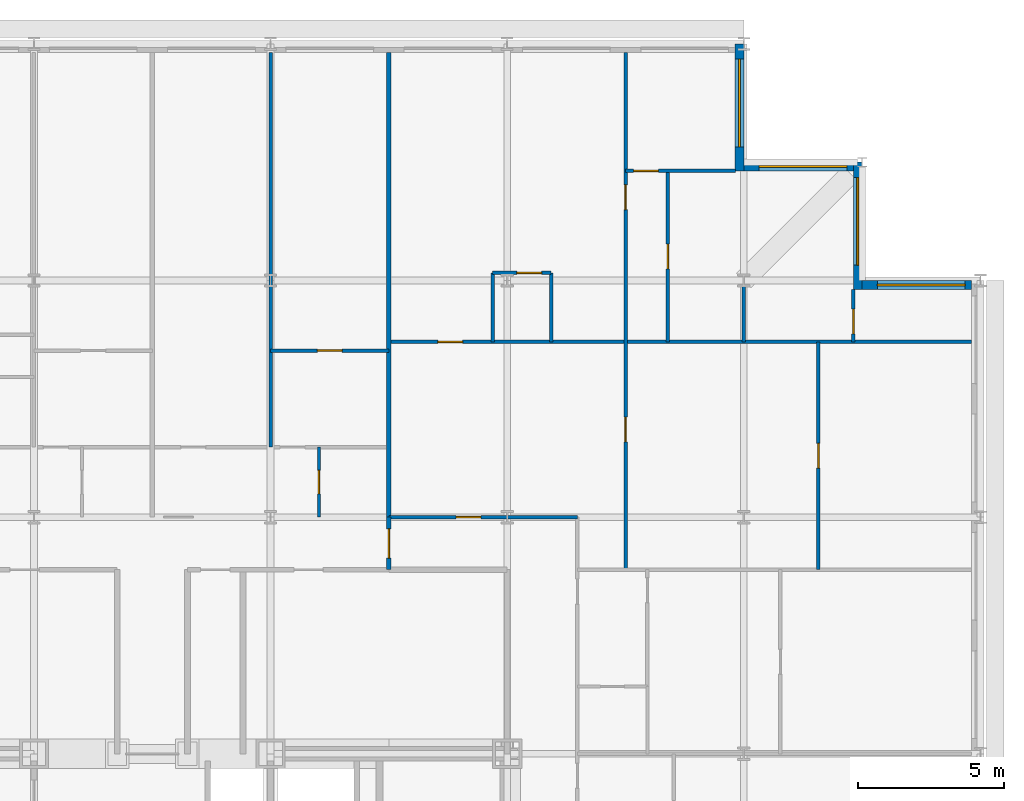
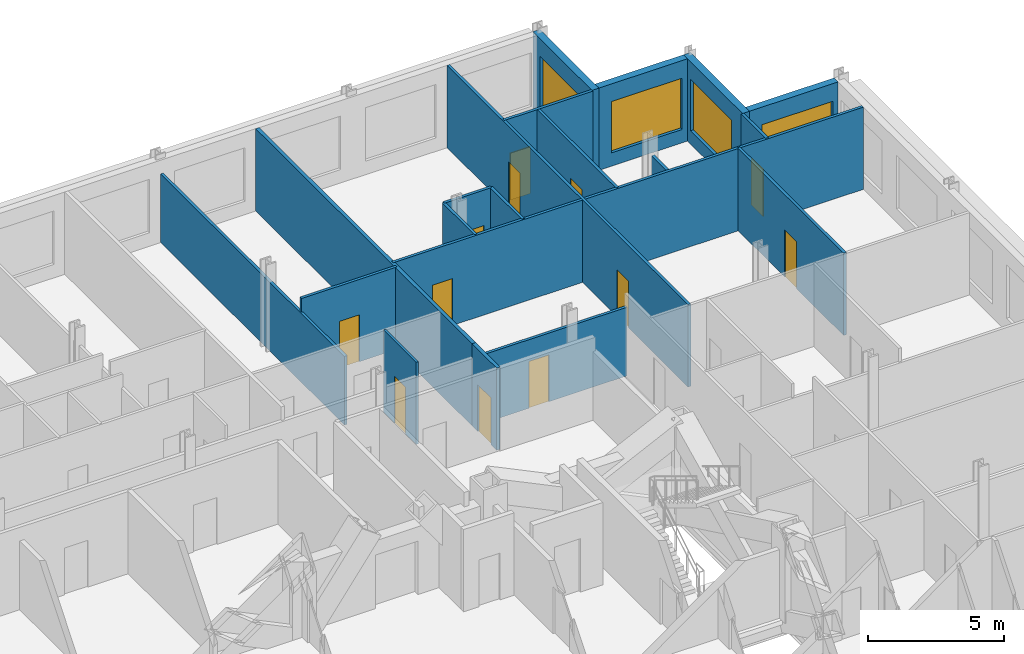
# One storey, part 14 of 16: 20 walls, 12 doors, 4 windows, 16 openings.
"""IFC4 building model written with IfcOpenShell, lengths in metres."""

import ifcopenshell
import ifcopenshell.guid

model = None  # the IFC model being written
_history = None  # IfcOwnerHistory: only IFC2X3 demands one
_inside = {}  # id of a spatial element -> (the spatial element, [elements in it])
_under = {}  # id of a project, library or spatial element -> (it, [spatial elements below it])
_declared = {}  # id of a project -> (the project, [libraries it declares])
_typed = {}  # id of a type object -> (the type object, [elements of that type])
_made_of = {}  # id of a material, layer set ... -> (it, [elements and type objects made of it])


def new_model(schema):
    """Start an empty IFC model of exactly this schema.

    Asked for "IFC4X3", IfcOpenShell would pick the latest addendum, in which some entities
    have other attributes; the version numbers below select the first issue.
    IFC2X3 requires an IfcOwnerHistory on every rooted entity: one is made here for all.
    """
    global model, _history
    if schema == "IFC4X3":
        model = ifcopenshell.file(schema_version=(4, 3, 0, 0))
    else:
        model = ifcopenshell.file(schema=schema)
    _inside.clear()
    _under.clear()
    _declared.clear()
    _typed.clear()
    _made_of.clear()
    _history = None
    if model.schema == "IFC2X3":
        org = make("IfcOrganization", Name="unknown")
        user = make(
            "IfcPersonAndOrganization",
            ThePerson=make("IfcPerson", FamilyName="unknown"),
            TheOrganization=org,
        )
        app = make(
            "IfcApplication",
            ApplicationDeveloper=org,
            Version="unknown",
            ApplicationFullName="unknown",
            ApplicationIdentifier="unknown",
        )
        _history = make(
            "IfcOwnerHistory",
            OwningUser=user,
            OwningApplication=app,
            ChangeAction="ADDED",
            CreationDate=0,
        )
    return model


def make(cls, **values):
    """One entity of the class cls with the attributes given. An attribute that is None is left unset."""
    return model.create_entity(
        cls, **{name: value for name, value in values.items() if value is not None}
    )


def rooted(cls, **values):
    """An entity with a GlobalId (a new one), such as an element, a storey or a relation."""
    return make(cls, GlobalId=ifcopenshell.guid.new(), OwnerHistory=_history, **values)


def si_unit(unit_type, name, prefix=None):
    """IfcSIUnit, for example si_unit("LENGTHUNIT", "METRE", prefix="MILLI")."""
    return make("IfcSIUnit", UnitType=unit_type, Prefix=prefix, Name=name)


def assignment(units):
    """IfcUnitAssignment: the units of a project."""
    return None if units is None else make("IfcUnitAssignment", Units=units)


def point(xyz):
    """IfcCartesianPoint."""
    return None if xyz is None else make("IfcCartesianPoint", Coordinates=xyz)


def direction(xyz):
    """IfcDirection."""
    return None if xyz is None else make("IfcDirection", DirectionRatios=xyz)


def frame(location, z_axis=None, x_axis=None):
    """IfcAxis2Placement3D, a coordinate frame: its origin and axes. An axis left out is left unset."""
    return make(
        "IfcAxis2Placement3D",
        Location=point(location),
        Axis=direction(z_axis),
        RefDirection=direction(x_axis),
    )


def frame_2d(location, x_axis=None):
    """IfcAxis2Placement2D, a coordinate frame in the plane: its origin and x axis."""
    return make(
        "IfcAxis2Placement2D", Location=point(location), RefDirection=direction(x_axis)
    )


def origin():
    """The frame at (0, 0, 0) with its axes left unset."""
    return frame((0.0, 0.0, 0.0))


def place(relative_to, where):
    """IfcLocalPlacement: puts the frame where relative to a parent placement (None: the world)."""
    return make(
        "IfcLocalPlacement", PlacementRelTo=relative_to, RelativePlacement=where
    )


def context(
    kind, dimensions, precision=None, world=None, true_north=None, identifier=None
):
    """IfcGeometricRepresentationContext, for example the 3D "Model" context."""
    return make(
        "IfcGeometricRepresentationContext",
        ContextIdentifier=identifier,
        ContextType=kind,
        CoordinateSpaceDimension=dimensions,
        Precision=precision,
        WorldCoordinateSystem=world,
        TrueNorth=true_north,
    )


def subcontext(parent, identifier, kind, view, scale=None):
    """IfcGeometricRepresentationSubContext, for example "Body" below "Model"."""
    return make(
        "IfcGeometricRepresentationSubContext",
        ContextIdentifier=identifier,
        ContextType=kind,
        ParentContext=parent,
        TargetScale=scale,
        TargetView=view,
    )


def project(units=None, contexts=None):
    """IfcProject with its units and contexts."""
    return rooted(
        "IfcProject",
        Name="project",
        RepresentationContexts=contexts,
        UnitsInContext=assignment(units),
    )


def spatial(cls, under=None, at=None, **own):
    """A site, building, storey or space (cls), placed at a placement, below another one or the project."""
    s = rooted(cls, ObjectPlacement=at, **own)
    if under is not None:
        _under.setdefault(under.id(), (under, []))[1].append(s)
    return s


def profile(cls, at=None, kind="AREA", **sizes):
    """A parametric profile (cls). Its sizes go by their IFC names, for example OverallWidth=200.0."""
    return make(cls, ProfileType=kind, Position=at, **sizes)


def rectangle(**sizes):
    """IfcRectangleProfileDef."""
    return profile("IfcRectangleProfileDef", **sizes)


def extrude(swept, where, along, depth):
    """IfcExtrudedAreaSolid: the profile swept, set in the frame where, extruded along a direction by depth."""
    return make(
        "IfcExtrudedAreaSolid",
        SweptArea=swept,
        Position=where,
        ExtrudedDirection=direction(along),
        Depth=depth,
    )


def shape(context_of_items, identifier, shape_type, items):
    """IfcShapeRepresentation: the items that make up one representation, for example the "Body"."""
    return make(
        "IfcShapeRepresentation",
        ContextOfItems=context_of_items,
        RepresentationIdentifier=identifier,
        RepresentationType=shape_type,
        Items=items,
    )


def material(Name=None, Category=None):
    """IfcMaterial."""
    return make("IfcMaterial", Name=Name, Category=Category)


def layer(
    of_material, thickness, ventilated=None, Name=None, Category=None, Priority=None
):
    """IfcMaterialLayer: one layer of a wall or slab, of a material (None: an air gap)."""
    return make(
        "IfcMaterialLayer",
        Material=of_material,
        LayerThickness=thickness,
        IsVentilated=ventilated,
        Name=Name,
        Category=Category,
        Priority=Priority,
    )


def layer_set(layers, Name=None):
    """IfcMaterialLayerSet."""
    return make("IfcMaterialLayerSet", MaterialLayers=layers, LayerSetName=Name)


def made_of(thing, what):
    """Note that an element or type object is made of a material, layer set ...; save() writes the relation."""
    if what is not None:
        _made_of.setdefault(what.id(), (what, []))[1].append(thing)
    return thing


def type_object(cls, material=None, **own):
    """A type object (cls), such as IfcWallType, which elements share."""
    return made_of(rooted(cls, **own), material)


def element(
    cls,
    number,
    at=None,
    inside=None,
    cuts=None,
    type_object=None,
    material=None,
    context=None,
    identifier="Body",
    shape_type=None,
    held_by="IfcProductDefinitionShape",
    body=None,
    shapes=None,
    **own,
):
    """One element of the class cls, such as IfcWall. Its Tag is "e" and its number.

    at: its placement. inside: the storey or other place that contains it. cuts: it is an
    opening in that element (IfcRelVoidsElement). A single representation is given by context,
    identifier, shape_type and body (its items); several are given by shapes. held_by: the class
    of the entity that holds the representations. save() writes the other relations.
    """
    e = rooted(cls, Tag="e%d" % number, ObjectPlacement=at, **own)
    if body is not None:
        shapes = [shape(context, identifier, shape_type, body)]
    if shapes is not None:
        e.Representation = make(held_by, Representations=shapes)
    if inside is not None:
        _inside.setdefault(inside.id(), (inside, []))[1].append(e)
    if cuts is not None:
        rooted(
            "IfcRelVoidsElement", RelatingBuildingElement=cuts, RelatedOpeningElement=e
        )
    if type_object is not None:
        _typed.setdefault(type_object.id(), (type_object, []))[1].append(e)
    return made_of(e, material)


def fill(opening, filler):
    """IfcRelFillsElement: the door or window that sits in an opening."""
    return rooted(
        "IfcRelFillsElement",
        RelatingOpeningElement=opening,
        RelatedBuildingElement=filler,
    )


def aggregate(whole, parts):
    """IfcRelAggregates: a whole, such as a stair, and the parts it consists of."""
    return rooted("IfcRelAggregates", RelatingObject=whole, RelatedObjects=parts)


def save(model, path):
    """Write the relations noted so far, then the file.

    IfcRelAggregates (storeys below a building ...), IfcRelContainedInSpatialStructure (elements
    in a storey), IfcRelDefinesByType, IfcRelAssociatesMaterial and IfcRelDeclares: one each for
    every whole, place, type object, material and project.
    """
    for whole, parts in _under.values():
        aggregate(whole, parts)
    for where, things in _inside.values():
        rooted(
            "IfcRelContainedInSpatialStructure",
            RelatedElements=things,
            RelatingStructure=where,
        )
    for kind, things in _typed.values():
        rooted("IfcRelDefinesByType", RelatedObjects=things, RelatingType=kind)
    for what, things in _made_of.values():
        rooted("IfcRelAssociatesMaterial", RelatedObjects=things, RelatingMaterial=what)
    for by, libraries in _declared.values():
        rooted("IfcRelDeclares", RelatingContext=by, RelatedDefinitions=libraries)
    model.write(path)


model = new_model("IFC4")

# Units and contexts
model_context = context("Model", 3, precision=1e-05, world=origin(), true_north=direction((0.0, 1.0)))
body_context = subcontext(model_context, "Body", "Model", "MODEL_VIEW")
ifc_project = project(units=[si_unit("LENGTHUNIT", "METRE"), si_unit("AREAUNIT", "SQUARE_METRE"), si_unit("VOLUMEUNIT", "CUBIC_METRE"), si_unit("PLANEANGLEUNIT", "RADIAN"), si_unit("MASSUNIT", "GRAM", prefix="KILO")], contexts=[model_context])

# Site, building, storey
site_placement = place(None, origin())
site = spatial("IfcSite", under=ifc_project, at=site_placement, CompositionType="ELEMENT")
building_placement = place(site_placement, origin())
building = spatial("IfcBuilding", under=site, at=building_placement, Name="Kopane Lantern Tower", CompositionType="ELEMENT")
storey_placement = place(building_placement, frame((0.0, 0.0, 258.0)))
storey = spatial("IfcBuildingStorey", under=building, at=storey_placement, Name="L66", CompositionType="ELEMENT", Elevation=258.0)

# Wall
ifc_material_1 = material(Name="Gypsum board on steel studs", Category="steel")
ifc_layer_1 = layer(ifc_material_1, 0.1201171875)
ifc_layer_set_1 = layer_set([ifc_layer_1], Name="APARTMENT INTERNAL WALL 120")
wall_type_1 = type_object("IfcWallType", Name="APARTMENT INTERNAL WALL 120", PredefinedType="PARTITIONING", material=ifc_layer_set_1)
wall_1_placement = place(storey_placement, frame((32.39990234375, 51.0, 0.0), z_axis=(0.0, 0.0, 1.0), x_axis=(0.0, 1.0, 0.0)))
element("IfcWall", 1, at=wall_1_placement, inside=storey, type_object=wall_type_1, Name="Apartment Internal Wall 120 L66", PredefinedType="PARTITIONING", context=body_context, shape_type="SweptSolid", body=[
    extrude(rectangle(XDim=13.5, YDim=0.1201171875, at=frame_2d((6.75, 0.0))), origin(), (0.0, 0.0, 1.0), 3.077880859375),
])

# Wall, opening, door
wall_2_placement = place(storey_placement, frame((36.449951171875, 48.60009765625, 0.0), z_axis=(0.0, 0.0, 1.0), x_axis=(1.0, 0.0, 0.0)))
wall_2 = element("IfcWall", 2, at=wall_2_placement, inside=storey, type_object=wall_type_1, Name="Apartment Internal Wall 120 L66", PredefinedType="PARTITIONING", context=body_context, shape_type="SweptSolid", body=[
    extrude(rectangle(XDim=6.449951171875, YDim=0.1201171875, at=frame_2d((3.22509765625, 0.0))), origin(), (0.0, 0.0, 1.0), 3.077880859375),
])
opening_1_placement = place(wall_2_placement, frame((2.300048828125, 0.0, 0.0)))
opening_1 = element("IfcOpeningElement", 3, at=opening_1_placement, cuts=wall_2, Name="Opening L66-057", PredefinedType="OPENING", context=body_context, shape_type="SweptSolid", body=[
    extrude(rectangle(XDim=0.85009765625, YDim=2.10009765625, at=frame_2d((0.425048828125, 1.050048828125))), frame((0.0, 0.070068359375, 0.0), z_axis=(0.0, -1.0, 0.0), x_axis=(1.0, 0.0, 0.0)), (0.0, 0.0, 1.0), 0.14013671875),
])
ifc_material_2 = material(Name="Timber door set", Category="wood")
door_type_1 = type_object("IfcDoorType", Name="DOOR D4 850x2100", OperationType="SINGLE_SWING_LEFT", PredefinedType="DOOR", material=ifc_material_2)
door_1_placement = place(opening_1_placement, origin())
door_1 = element("IfcDoor", 4, at=door_1_placement, inside=storey, type_object=door_type_1, Name="Door L66-057", OperationType="SINGLE_SWING_LEFT", OverallHeight=2.10009765625, OverallWidth=0.85009765625, PredefinedType="DOOR", context=body_context, shape_type="SweptSolid", body=[
    extrude(rectangle(XDim=0.85009765625, YDim=2.10009765625, at=frame_2d((0.425048828125, 1.050048828125))), frame((0.0, 0.02490234375, 0.0), z_axis=(0.0, -1.0, 0.0), x_axis=(1.0, 0.0, 0.0)), (0.0, 0.0, 1.0), 0.050048828125),
])
fill(opening_1, door_1)

wall_3_placement = place(storey_placement, frame((36.449951171875, 54.60009765625, 0.0), z_axis=(0.0, 0.0, 1.0), x_axis=(1.0, 0.0, 0.0)))
wall_3 = element("IfcWall", 5, at=wall_3_placement, inside=storey, type_object=wall_type_1, Name="Apartment Internal Wall 120 L66", PredefinedType="PARTITIONING", context=body_context, shape_type="SweptSolid", body=[
    extrude(rectangle(XDim=19.949951171875, YDim=0.1201171875, at=frame_2d((9.97509765625, 0.0))), origin(), (0.0, 0.0, 1.0), 3.68994140625),
])
opening_2_placement = place(wall_3_placement, frame((1.675048828125, 0.0, 0.0)))
opening_2 = element("IfcOpeningElement", 6, at=opening_2_placement, cuts=wall_3, Name="Opening L66-058", PredefinedType="OPENING", context=body_context, shape_type="SweptSolid", body=[
    extrude(rectangle(XDim=0.85009765625, YDim=2.10009765625, at=frame_2d((0.425048828125, 1.050048828125))), frame((0.0, 0.070068359375, 0.0), z_axis=(0.0, -1.0, 0.0), x_axis=(1.0, 0.0, 0.0)), (0.0, 0.0, 1.0), 0.14013671875),
])
door_2_placement = place(opening_2_placement, origin())
door_2 = element("IfcDoor", 7, at=door_2_placement, inside=storey, type_object=door_type_1, Name="Door L66-058", OperationType="SINGLE_SWING_LEFT", OverallHeight=2.10009765625, OverallWidth=0.85009765625, PredefinedType="DOOR", context=body_context, shape_type="SweptSolid", body=[
    extrude(rectangle(XDim=0.85009765625, YDim=2.10009765625, at=frame_2d((0.425048828125, 1.050048828125))), frame((0.0, 0.02490234375, 0.0), z_axis=(0.0, -1.0, 0.0), x_axis=(1.0, 0.0, 0.0)), (0.0, 0.0, 1.0), 0.050048828125),
])
fill(opening_2, door_2)

# Wall, openings, doors
wall_4_placement = place(storey_placement, frame((44.550048828125, 64.5, 0.0), z_axis=(0.0, 0.0, 1.0), x_axis=(0.0, -1.0, 0.0)))
wall_4 = element("IfcWall", 8, at=wall_4_placement, inside=storey, type_object=wall_type_1, Name="Apartment Internal Wall 120 L66", PredefinedType="PARTITIONING", context=body_context, shape_type="SweptSolid", body=[
    extrude(rectangle(XDim=17.699951171875, YDim=0.1201171875, at=frame_2d((8.85009765625, 0.0))), origin(), (0.0, 0.0, 1.0), 3.68994140625),
])
opening_3_placement = place(wall_4_placement, frame((12.47509765625, 0.0, 0.0)))
opening_3 = element("IfcOpeningElement", 9, at=opening_3_placement, cuts=wall_4, Name="Opening L66-059", PredefinedType="OPENING", context=body_context, shape_type="SweptSolid", body=[
    extrude(rectangle(XDim=0.85009765625, YDim=2.10009765625, at=frame_2d((0.425048828125, 1.050048828125))), frame((0.0, 0.070068359375, 0.0), z_axis=(0.0, -1.0, 0.0), x_axis=(1.0, 0.0, 0.0)), (0.0, 0.0, 1.0), 0.14013671875),
])
opening_4_placement = place(wall_4_placement, frame((4.52490234375, 0.0, 0.0)))
opening_4 = element("IfcOpeningElement", 10, at=opening_4_placement, cuts=wall_4, Name="Opening L66-060", PredefinedType="OPENING", context=body_context, shape_type="SweptSolid", body=[
    extrude(rectangle(XDim=0.85009765625, YDim=2.10009765625, at=frame_2d((0.425048828125, 1.050048828125))), frame((0.0, 0.070068359375, 0.0), z_axis=(0.0, -1.0, 0.0), x_axis=(1.0, 0.0, 0.0)), (0.0, 0.0, 1.0), 0.14013671875),
])
door_3_placement = place(opening_3_placement, origin())
door_3 = element("IfcDoor", 11, at=door_3_placement, inside=storey, type_object=door_type_1, Name="Door L66-059", OperationType="SINGLE_SWING_LEFT", OverallHeight=2.10009765625, OverallWidth=0.85009765625, PredefinedType="DOOR", context=body_context, shape_type="SweptSolid", body=[
    extrude(rectangle(XDim=0.85009765625, YDim=2.10009765625, at=frame_2d((0.425048828125, 1.050048828125))), frame((0.0, 0.02490234375, 0.0), z_axis=(0.0, -1.0, 0.0), x_axis=(1.0, 0.0, 0.0)), (0.0, 0.0, 1.0), 0.050048828125),
])
fill(opening_3, door_3)
door_4_placement = place(opening_4_placement, origin())
door_4 = element("IfcDoor", 12, at=door_4_placement, inside=storey, type_object=door_type_1, Name="Door L66-060", OperationType="SINGLE_SWING_LEFT", OverallHeight=2.10009765625, OverallWidth=0.85009765625, PredefinedType="DOOR", context=body_context, shape_type="SweptSolid", body=[
    extrude(rectangle(XDim=0.85009765625, YDim=2.10009765625, at=frame_2d((0.425048828125, 1.050048828125))), frame((0.0, 0.02490234375, 0.0), z_axis=(0.0, -1.0, 0.0), x_axis=(1.0, 0.0, 0.0)), (0.0, 0.0, 1.0), 0.050048828125),
])
fill(opening_4, door_4)

# Wall, opening, door
wall_5_placement = place(storey_placement, frame((52.35009765625, 54.60009765625, 0.0), z_axis=(0.0, 0.0, 1.0), x_axis=(0.0, 1.0, 0.0)))
wall_5 = element("IfcWall", 13, at=wall_5_placement, inside=storey, type_object=wall_type_1, Name="Apartment Internal Wall 120 L66", PredefinedType="PARTITIONING", context=body_context, shape_type="SweptSolid", body=[
    extrude(rectangle(XDim=1.7998046875, YDim=0.1201171875, at=frame_2d((0.89990234375, 0.0))), origin(), (0.0, 0.0, 1.0), 3.68994140625),
])
opening_5_placement = place(wall_5_placement, frame((0.27490234375, 0.0, 0.0)))
opening_5 = element("IfcOpeningElement", 14, at=opening_5_placement, cuts=wall_5, Name="Opening L66-068", PredefinedType="OPENING", context=body_context, shape_type="SweptSolid", body=[
    extrude(rectangle(XDim=0.85009765625, YDim=2.10009765625, at=frame_2d((0.425048828125, 1.050048828125))), frame((0.0, 0.070068359375, 0.0), z_axis=(0.0, -1.0, 0.0), x_axis=(1.0, 0.0, 0.0)), (0.0, 0.0, 1.0), 0.14013671875),
])
door_5_placement = place(opening_5_placement, origin())
door_5 = element("IfcDoor", 15, at=door_5_placement, inside=storey, type_object=door_type_1, Name="Door L66-068", OperationType="SINGLE_SWING_RIGHT", OverallHeight=2.10009765625, OverallWidth=0.85009765625, PredefinedType="DOOR", context=body_context, shape_type="SweptSolid", body=[
    extrude(rectangle(XDim=0.85009765625, YDim=2.10009765625, at=frame_2d((0.425048828125, 1.050048828125))), frame((0.0, 0.02490234375, 0.0), z_axis=(0.0, -1.0, 0.0), x_axis=(1.0, 0.0, 0.0)), (0.0, 0.0, 1.0), 0.050048828125),
])
fill(opening_5, door_5)

wall_6_placement = place(storey_placement, frame((48.31005859375, 60.449951171875, 0.0), z_axis=(0.0, 0.0, 1.0), x_axis=(-1.0, 0.0, 0.0)))
wall_6 = element("IfcWall", 16, at=wall_6_placement, inside=storey, type_object=wall_type_1, Name="Apartment Internal Wall 120 L66", PredefinedType="PARTITIONING", context=body_context, shape_type="SweptSolid", body=[
    extrude(rectangle(XDim=3.760009765625, YDim=0.1201171875, at=frame_2d((1.8798828125, 0.0))), origin(), (0.0, 0.0, 1.0), 3.68994140625),
])
opening_6_placement = place(wall_6_placement, frame((2.635009765625, 0.0, 0.0)))
opening_6 = element("IfcOpeningElement", 17, at=opening_6_placement, cuts=wall_6, Name="Opening L66-069", PredefinedType="OPENING", context=body_context, shape_type="SweptSolid", body=[
    extrude(rectangle(XDim=0.85009765625, YDim=2.10009765625, at=frame_2d((0.425048828125, 1.050048828125))), frame((0.0, 0.070068359375, 0.0), z_axis=(0.0, -1.0, 0.0), x_axis=(1.0, 0.0, 0.0)), (0.0, 0.0, 1.0), 0.14013671875),
])
door_6_placement = place(opening_6_placement, origin())
door_6 = element("IfcDoor", 18, at=door_6_placement, inside=storey, type_object=door_type_1, Name="Door L66-069", OperationType="SINGLE_SWING_LEFT", OverallHeight=2.10009765625, OverallWidth=0.85009765625, PredefinedType="DOOR", context=body_context, shape_type="SweptSolid", body=[
    extrude(rectangle(XDim=0.85009765625, YDim=2.10009765625, at=frame_2d((0.425048828125, 1.050048828125))), frame((0.0, 0.02490234375, 0.0), z_axis=(0.0, -1.0, 0.0), x_axis=(1.0, 0.0, 0.0)), (0.0, 0.0, 1.0), 0.050048828125),
])
fill(opening_6, door_6)

wall_7_placement = place(storey_placement, frame((32.39990234375, 54.300048828125, 0.0), z_axis=(0.0, 0.0, 1.0), x_axis=(1.0, 0.0, 0.0)))
wall_7 = element("IfcWall", 19, at=wall_7_placement, inside=storey, type_object=wall_type_1, Name="Apartment Internal Wall 120 L66", PredefinedType="PARTITIONING", context=body_context, shape_type="SweptSolid", body=[
    extrude(rectangle(XDim=4.050048828125, YDim=0.1201171875, at=frame_2d((2.02490234375, 0.0))), origin(), (0.0, 0.0, 1.0), 3.68994140625),
])
opening_7_placement = place(wall_7_placement, frame((1.60009765625, 0.0, 0.0)))
opening_7 = element("IfcOpeningElement", 20, at=opening_7_placement, cuts=wall_7, Name="Opening L66-074", PredefinedType="OPENING", context=body_context, shape_type="SweptSolid", body=[
    extrude(rectangle(XDim=0.85009765625, YDim=2.10009765625, at=frame_2d((0.425048828125, 1.050048828125))), frame((0.0, 0.070068359375, 0.0), z_axis=(0.0, -1.0, 0.0), x_axis=(1.0, 0.0, 0.0)), (0.0, 0.0, 1.0), 0.14013671875),
])
door_7_placement = place(opening_7_placement, origin())
door_7 = element("IfcDoor", 21, at=door_7_placement, inside=storey, type_object=door_type_1, Name="Door L66-074", OperationType="SINGLE_SWING_RIGHT", OverallHeight=2.10009765625, OverallWidth=0.85009765625, PredefinedType="DOOR", context=body_context, shape_type="SweptSolid", body=[
    extrude(rectangle(XDim=0.85009765625, YDim=2.10009765625, at=frame_2d((0.425048828125, 1.050048828125))), frame((0.0, 0.02490234375, 0.0), z_axis=(0.0, -1.0, 0.0), x_axis=(1.0, 0.0, 0.0)), (0.0, 0.0, 1.0), 0.050048828125),
])
fill(opening_7, door_7)

wall_8_placement = place(storey_placement, frame((51.14990234375, 46.800048828125, 0.0), z_axis=(0.0, 0.0, 1.0), x_axis=(0.0, 1.0, 0.0)))
wall_8 = element("IfcWall", 22, at=wall_8_placement, inside=storey, type_object=wall_type_1, Name="Apartment Internal Wall 120 L66", PredefinedType="PARTITIONING", context=body_context, shape_type="SweptSolid", body=[
    extrude(rectangle(XDim=7.800048828125, YDim=0.1201171875, at=frame_2d((3.89990234375, 0.0))), origin(), (0.0, 0.0, 1.0), 3.68994140625),
])
opening_8_placement = place(wall_8_placement, frame((3.47509765625, 0.0, 0.0)))
opening_8 = element("IfcOpeningElement", 23, at=opening_8_placement, cuts=wall_8, Name="Opening L66-079", PredefinedType="OPENING", context=body_context, shape_type="SweptSolid", body=[
    extrude(rectangle(XDim=0.85009765625, YDim=2.10009765625, at=frame_2d((0.425048828125, 1.050048828125))), frame((0.0, 0.070068359375, 0.0), z_axis=(0.0, -1.0, 0.0), x_axis=(1.0, 0.0, 0.0)), (0.0, 0.0, 1.0), 0.14013671875),
])
door_8_placement = place(opening_8_placement, origin())
door_8 = element("IfcDoor", 24, at=door_8_placement, inside=storey, type_object=door_type_1, Name="Door L66-079", OperationType="SINGLE_SWING_RIGHT", OverallHeight=2.10009765625, OverallWidth=0.85009765625, PredefinedType="DOOR", context=body_context, shape_type="SweptSolid", body=[
    extrude(rectangle(XDim=0.85009765625, YDim=2.10009765625, at=frame_2d((0.425048828125, 1.050048828125))), frame((0.0, 0.02490234375, 0.0), z_axis=(0.0, -1.0, 0.0), x_axis=(1.0, 0.0, 0.0)), (0.0, 0.0, 1.0), 0.050048828125),
])
fill(opening_8, door_8)

wall_9_placement = place(storey_placement, frame((46.0, 54.60009765625, 0.0), z_axis=(0.0, 0.0, 1.0), x_axis=(0.0, 1.0, 0.0)))
wall_9 = element("IfcWall", 25, at=wall_9_placement, inside=storey, type_object=wall_type_1, Name="Apartment Internal Wall 120 L66", PredefinedType="PARTITIONING", context=body_context, shape_type="SweptSolid", body=[
    extrude(rectangle(XDim=5.849853515625, YDim=0.1201171875, at=frame_2d((2.9248046875, 0.0))), origin(), (0.0, 0.0, 1.0), 3.68994140625),
])
opening_9_placement = place(wall_9_placement, frame((2.5, 0.0, 0.0)))
opening_9 = element("IfcOpeningElement", 26, at=opening_9_placement, cuts=wall_9, Name="Opening L66-080", PredefinedType="OPENING", context=body_context, shape_type="SweptSolid", body=[
    extrude(rectangle(XDim=0.85009765625, YDim=2.10009765625, at=frame_2d((0.425048828125, 1.050048828125))), frame((0.0, 0.070068359375, 0.0), z_axis=(0.0, -1.0, 0.0), x_axis=(1.0, 0.0, 0.0)), (0.0, 0.0, 1.0), 0.14013671875),
])
door_9_placement = place(opening_9_placement, origin())
door_9 = element("IfcDoor", 27, at=door_9_placement, inside=storey, type_object=door_type_1, Name="Door L66-080", OperationType="SINGLE_SWING_LEFT", OverallHeight=2.10009765625, OverallWidth=0.85009765625, PredefinedType="DOOR", context=body_context, shape_type="SweptSolid", body=[
    extrude(rectangle(XDim=0.85009765625, YDim=2.10009765625, at=frame_2d((0.425048828125, 1.050048828125))), frame((0.0, 0.02490234375, 0.0), z_axis=(0.0, -1.0, 0.0), x_axis=(1.0, 0.0, 0.0)), (0.0, 0.0, 1.0), 0.050048828125),
])
fill(opening_9, door_9)

# Walls
for number, where, z_axis, x_axis, name in (
    (28, (39.9970703125, 54.60009765625, 0.0), (0.0, 0.0, 1.0), (0.0, 1.0, 0.0), "Apartment Internal Wall 120 L66"),
    (29, (42.0029296875, 54.60009765625, 0.0), (0.0, 0.0, 1.0), (0.0, 1.0, 0.0), "Apartment Internal Wall 120 L66"),
):
    element("IfcWall", number, at=place(storey_placement, frame(where, z_axis=z_axis, x_axis=x_axis)), inside=storey, type_object=wall_type_1, Name=name, PredefinedType="PARTITIONING", context=body_context, shape_type="SweptSolid", body=[
        extrude(rectangle(XDim=2.36279296875, YDim=0.1201171875, at=frame_2d((1.181396484375, 0.0))), origin(), (0.0, 0.0, 1.0), 3.68994140625),
    ])

# Wall, opening, door
wall_10_placement = place(storey_placement, frame((39.9970703125, 56.962890625, 0.0), z_axis=(0.0, 0.0, 1.0), x_axis=(1.0, 0.0, 0.0)))
wall_10 = element("IfcWall", 30, at=wall_10_placement, inside=storey, type_object=wall_type_1, Name="Apartment Internal Wall 120 L66", PredefinedType="PARTITIONING", context=body_context, shape_type="SweptSolid", body=[
    extrude(rectangle(XDim=2.005859375, YDim=0.1201171875, at=frame_2d((1.0029296875, 0.0))), origin(), (0.0, 0.0, 1.0), 3.68994140625),
])
opening_10_placement = place(wall_10_placement, frame((0.8310546875, 0.0, 0.0)))
opening_10 = element("IfcOpeningElement", 31, at=opening_10_placement, cuts=wall_10, Name="Opening L66-085", PredefinedType="OPENING", context=body_context, shape_type="SweptSolid", body=[
    extrude(rectangle(XDim=0.85009765625, YDim=2.10009765625, at=frame_2d((0.425048828125, 1.050048828125))), frame((0.0, 0.070068359375, 0.0), z_axis=(0.0, -1.0, 0.0), x_axis=(1.0, 0.0, 0.0)), (0.0, 0.0, 1.0), 0.14013671875),
])
door_10_placement = place(opening_10_placement, origin())
door_10 = element("IfcDoor", 32, at=door_10_placement, inside=storey, type_object=door_type_1, Name="Door L66-085", OperationType="SINGLE_SWING_LEFT", OverallHeight=2.10009765625, OverallWidth=0.85009765625, PredefinedType="DOOR", context=body_context, shape_type="SweptSolid", body=[
    extrude(rectangle(XDim=0.85009765625, YDim=2.10009765625, at=frame_2d((0.425048828125, 1.050048828125))), frame((0.0, 0.02490234375, 0.0), z_axis=(0.0, -1.0, 0.0), x_axis=(1.0, 0.0, 0.0)), (0.0, 0.0, 1.0), 0.050048828125),
])
fill(opening_10, door_10)

# Wall
wall_11_placement = place(storey_placement, frame((48.60009765625, 54.60009765625, 0.0), z_axis=(0.0, 0.0, 1.0), x_axis=(0.0, 1.0, 0.0)))
element("IfcWall", 33, at=wall_11_placement, inside=storey, type_object=wall_type_1, Name="Apartment Internal Wall 120 L66", PredefinedType="PARTITIONING", context=body_context, shape_type="SweptSolid", body=[
    extrude(rectangle(XDim=1.89697265625, YDim=0.1201171875, at=frame_2d((0.948486328125, 0.0))), origin(), (0.0, 0.0, 1.0), 3.077880859375),
])

# Wall, opening, door
ifc_material_3 = material(Name="Moisture-resistant board on steel studs", Category="steel")
ifc_layer_2 = layer(ifc_material_3, 0.10009765625)
ifc_layer_set_2 = layer_set([ifc_layer_2], Name="BATHROOM WALL 100")
wall_type_2 = type_object("IfcWallType", Name="BATHROOM WALL 100", PredefinedType="PARTITIONING", material=ifc_layer_set_2)
wall_12_placement = place(storey_placement, frame((34.050048828125, 48.60009765625, 0.0), z_axis=(0.0, 0.0, 1.0), x_axis=(0.0, 1.0, 0.0)))
wall_12 = element("IfcWall", 34, at=wall_12_placement, inside=storey, type_object=wall_type_2, Name="Bathroom Wall 100 L66", PredefinedType="PARTITIONING", context=body_context, shape_type="SweptSolid", body=[
    extrude(rectangle(XDim=2.39990234375, YDim=0.10009765625, at=frame_2d((1.199951171875, 0.0))), origin(), (0.0, 0.0, 1.0), 3.68994140625),
])
opening_11_placement = place(wall_12_placement, frame((0.800048828125, 0.0, 0.0)))
opening_11 = element("IfcOpeningElement", 35, at=opening_11_placement, cuts=wall_12, Name="Opening L66-027", PredefinedType="OPENING", context=body_context, shape_type="SweptSolid", body=[
    extrude(rectangle(XDim=0.800048828125, YDim=2.10009765625, at=frame_2d((0.39990234375, 1.050048828125))), frame((0.0, 0.06005859375, 0.0), z_axis=(0.0, -1.0, 0.0), x_axis=(1.0, 0.0, 0.0)), (0.0, 0.0, 1.0), 0.1201171875),
])
ifc_material_4 = material(Name="Timber door set", Category="wood")
door_type_2 = type_object("IfcDoorType", Name="DOOR D2 800x2100", OperationType="SINGLE_SWING_LEFT", PredefinedType="DOOR", material=ifc_material_4)
door_11_placement = place(opening_11_placement, origin())
door_11 = element("IfcDoor", 36, at=door_11_placement, inside=storey, type_object=door_type_2, Name="Door L66-027", OperationType="SINGLE_SWING_RIGHT", OverallHeight=2.10009765625, OverallWidth=0.800048828125, PredefinedType="DOOR", context=body_context, shape_type="SweptSolid", body=[
    extrude(rectangle(XDim=0.800048828125, YDim=2.10009765625, at=frame_2d((0.39990234375, 1.050048828125))), frame((0.0, 0.02490234375, 0.0), z_axis=(0.0, -1.0, 0.0), x_axis=(1.0, 0.0, 0.0)), (0.0, 0.0, 1.0), 0.050048828125),
])
fill(opening_11, door_11)

ifc_material_5 = material(Name="Gypsum board on steel studs", Category="steel")
ifc_layer_3 = layer(ifc_material_5, 0.14990234375)
ifc_layer_set_3 = layer_set([ifc_layer_3], Name="CORRIDOR WALL 150 EI 60")
wall_type_3 = type_object("IfcWallType", Name="CORRIDOR WALL 150 EI 60", PredefinedType="PARTITIONING", material=ifc_layer_set_3)
wall_13_placement = place(storey_placement, frame((36.449951171875, 46.800048828125, 0.0), z_axis=(0.0, 0.0, 1.0), x_axis=(0.0, 1.0, 0.0)))
wall_13 = element("IfcWall", 37, at=wall_13_placement, inside=storey, type_object=wall_type_3, Name="Corridor Wall 150 Ei 60 L66", PredefinedType="PARTITIONING", context=body_context, shape_type="SweptSolid", body=[
    extrude(rectangle(XDim=1.800048828125, YDim=0.14990234375, at=frame_2d((0.89990234375, 0.0))), origin(), (0.0, 0.0, 1.0), 3.68994140625),
])
opening_12_placement = place(wall_13_placement, frame((0.39990234375, 0.0, 0.0)))
opening_12 = element("IfcOpeningElement", 38, at=opening_12_placement, cuts=wall_13, Name="Opening L66-055", PredefinedType="OPENING", context=body_context, shape_type="SweptSolid", body=[
    extrude(rectangle(XDim=1.0, YDim=2.10009765625, at=frame_2d((0.5, 1.050048828125))), frame((0.0, 0.0849609375, 0.0), z_axis=(0.0, -1.0, 0.0), x_axis=(1.0, 0.0, 0.0)), (0.0, 0.0, 1.0), 0.169921875),
])
ifc_material_6 = material(Name="Steel door set", Category="steel")
door_type_3 = type_object("IfcDoorType", Name="DOOR D3 1000x2100 FD30S", OperationType="SINGLE_SWING_LEFT", PredefinedType="DOOR", material=ifc_material_6)
door_12_placement = place(opening_12_placement, origin())
door_12 = element("IfcDoor", 39, at=door_12_placement, inside=storey, type_object=door_type_3, Name="Door L66-055", OperationType="SINGLE_SWING_RIGHT", OverallHeight=2.10009765625, OverallWidth=1.0, PredefinedType="DOOR", context=body_context, shape_type="SweptSolid", body=[
    extrude(rectangle(XDim=1.0, YDim=2.10009765625, at=frame_2d((0.5, 1.050048828125))), frame((0.0, 0.02490234375, 0.0), z_axis=(0.0, -1.0, 0.0), x_axis=(1.0, 0.0, 0.0)), (0.0, 0.0, 1.0), 0.050048828125),
])
fill(opening_12, door_12)

# Wall
ifc_material_7 = material(Name="Gypsum board on steel studs", Category="steel")
ifc_layer_4 = layer(ifc_material_7, 0.14990234375)
ifc_layer_set_4 = layer_set([ifc_layer_4], Name="DEMISING WALL 150 EI 60")
wall_type_4 = type_object("IfcWallType", Name="DEMISING WALL 150 EI 60", PredefinedType="PARTITIONING", material=ifc_layer_set_4)
wall_14_placement = place(storey_placement, frame((36.449951171875, 64.5, 0.0), z_axis=(0.0, 0.0, 1.0), x_axis=(0.0, -1.0, 0.0)))
element("IfcWall", 40, at=wall_14_placement, inside=storey, type_object=wall_type_4, Name="Demising Wall 150 Ei 60 L66", PredefinedType="PARTITIONING", context=body_context, shape_type="SweptSolid", body=[
    extrude(rectangle(XDim=15.89990234375, YDim=0.14990234375, at=frame_2d((7.949951171875, 0.0))), origin(), (0.0, 0.0, 1.0), 3.68994140625),
])

# Wall, opening, window
ifc_material_8 = material(Name="Terracotta rainscreen on light steel framing", Category="masonry")
ifc_layer_5 = layer(ifc_material_8, 0.300048828125)
ifc_layer_set_5 = layer_set([ifc_layer_5], Name="EXTERNAL WALL EW1 300 TERRACOTTA")
wall_type_5 = type_object("IfcWallType", Name="EXTERNAL WALL EW1 300 TERRACOTTA", PredefinedType="SOLIDWALL", material=ifc_layer_set_5)
wall_15_placement = place(storey_placement, frame((56.39990234375, 56.550048828125, 0.0), z_axis=(0.0, 0.0, 1.0), x_axis=(-1.0, 0.0, 0.0)))
wall_15 = element("IfcWall", 41, at=wall_15_placement, inside=storey, type_object=wall_type_5, Name="External wall N L66", PredefinedType="SOLIDWALL", context=body_context, shape_type="SweptSolid", body=[
    extrude(rectangle(XDim=3.75, YDim=0.300048828125, at=frame_2d((1.875, 0.0))), origin(), (0.0, 0.0, 1.0), 3.68994140625),
])
opening_13_placement = place(wall_15_placement, frame((0.22509765625, 0.0, 0.60009765625)))
opening_13 = element("IfcOpeningElement", 42, at=opening_13_placement, cuts=wall_15, Name="Opening WR300230", PredefinedType="OPENING", context=body_context, shape_type="SweptSolid", body=[
    extrude(rectangle(XDim=3.0, YDim=2.300048828125, at=frame_2d((1.5, 1.14990234375))), frame((0.0, 0.159912109375, 0.0), z_axis=(0.0, -1.0, 0.0), x_axis=(1.0, 0.0, 0.0)), (0.0, 0.0, 1.0), 0.320068359375),
])
ifc_material_9 = material(Name="Aluminium and clear glass", Category="aluminium")
window_type = type_object("IfcWindowType", Name="RIBBON WINDOW WR300230 3000x2300", PartitioningType="SINGLE_PANEL", PredefinedType="WINDOW", material=ifc_material_9)
window_1_placement = place(opening_13_placement, origin())
window_1 = element("IfcWindow", 43, at=window_1_placement, inside=storey, type_object=window_type, Name="Window N L66", OverallHeight=2.300048828125, OverallWidth=3.0, PartitioningType="SINGLE_PANEL", PredefinedType="WINDOW", context=body_context, shape_type="SweptSolid", body=[
    extrude(rectangle(XDim=3.0, YDim=2.300048828125, at=frame_2d((1.5, 1.14990234375))), frame((0.0, 0.030029296875, 0.0), z_axis=(0.0, -1.0, 0.0), x_axis=(1.0, 0.0, 0.0)), (0.0, 0.0, 1.0), 0.06005859375),
])
fill(opening_13, window_1)

wall_16_placement = place(storey_placement, frame((52.5, 56.39990234375, 0.0), z_axis=(0.0, 0.0, 1.0), x_axis=(0.0, 1.0, 0.0)))
wall_16 = element("IfcWall", 44, at=wall_16_placement, inside=storey, type_object=wall_type_5, Name="External wall E L66", PredefinedType="SOLIDWALL", context=body_context, shape_type="SweptSolid", body=[
    extrude(rectangle(XDim=4.35009765625, YDim=0.300048828125, at=frame_2d((2.175048828125, 0.0))), origin(), (0.0, 0.0, 1.0), 3.68994140625),
])
opening_14_placement = place(wall_16_placement, frame((0.824951171875, 0.0, 0.60009765625)))
opening_14 = element("IfcOpeningElement", 45, at=opening_14_placement, cuts=wall_16, Name="Opening WR300230", PredefinedType="OPENING", context=body_context, shape_type="SweptSolid", body=[
    extrude(rectangle(XDim=3.0, YDim=2.300048828125, at=frame_2d((1.5, 1.14990234375))), frame((0.0, 0.159912109375, 0.0), z_axis=(0.0, -1.0, 0.0), x_axis=(1.0, 0.0, 0.0)), (0.0, 0.0, 1.0), 0.320068359375),
])
window_2_placement = place(opening_14_placement, origin())
window_2 = element("IfcWindow", 46, at=window_2_placement, inside=storey, type_object=window_type, Name="Window E L66", OverallHeight=2.300048828125, OverallWidth=3.0, PartitioningType="SINGLE_PANEL", PredefinedType="WINDOW", context=body_context, shape_type="SweptSolid", body=[
    extrude(rectangle(XDim=3.0, YDim=2.300048828125, at=frame_2d((1.5, 1.14990234375))), frame((0.0, 0.030029296875, 0.0), z_axis=(0.0, -1.0, 0.0), x_axis=(1.0, 0.0, 0.0)), (0.0, 0.0, 1.0), 0.06005859375),
])
fill(opening_14, window_2)

wall_17_placement = place(storey_placement, frame((52.35009765625, 60.60009765625, 0.0), z_axis=(0.0, 0.0, 1.0), x_axis=(-1.0, 0.0, 0.0)))
wall_17 = element("IfcWall", 47, at=wall_17_placement, inside=storey, type_object=wall_type_5, Name="External wall N L66", PredefinedType="SOLIDWALL", context=body_context, shape_type="SweptSolid", body=[
    extrude(rectangle(XDim=3.75, YDim=0.300048828125, at=frame_2d((1.875, 0.0))), origin(), (0.0, 0.0, 1.0), 3.68994140625),
])
opening_15_placement = place(wall_17_placement, frame((0.22509765625, 0.0, 0.60009765625)))
opening_15 = element("IfcOpeningElement", 48, at=opening_15_placement, cuts=wall_17, Name="Opening WR300230", PredefinedType="OPENING", context=body_context, shape_type="SweptSolid", body=[
    extrude(rectangle(XDim=3.0, YDim=2.300048828125, at=frame_2d((1.5, 1.14990234375))), frame((0.0, 0.159912109375, 0.0), z_axis=(0.0, -1.0, 0.0), x_axis=(1.0, 0.0, 0.0)), (0.0, 0.0, 1.0), 0.320068359375),
])
window_3_placement = place(opening_15_placement, origin())
window_3 = element("IfcWindow", 49, at=window_3_placement, inside=storey, type_object=window_type, Name="Window N L66", OverallHeight=2.300048828125, OverallWidth=3.0, PartitioningType="SINGLE_PANEL", PredefinedType="WINDOW", context=body_context, shape_type="SweptSolid", body=[
    extrude(rectangle(XDim=3.0, YDim=2.300048828125, at=frame_2d((1.5, 1.14990234375))), frame((0.0, 0.030029296875, 0.0), z_axis=(0.0, -1.0, 0.0), x_axis=(1.0, 0.0, 0.0)), (0.0, 0.0, 1.0), 0.06005859375),
])
fill(opening_15, window_3)

wall_18_placement = place(storey_placement, frame((48.449951171875, 60.449951171875, 0.0), z_axis=(0.0, 0.0, 1.0), x_axis=(0.0, 1.0, 0.0)))
wall_18 = element("IfcWall", 50, at=wall_18_placement, inside=storey, type_object=wall_type_5, Name="External wall E L66", PredefinedType="SOLIDWALL", context=body_context, shape_type="SweptSolid", body=[
    extrude(rectangle(XDim=4.35009765625, YDim=0.300048828125, at=frame_2d((2.175048828125, 0.0))), origin(), (0.0, 0.0, 1.0), 3.68994140625),
])
opening_16_placement = place(wall_18_placement, frame((0.824951171875, 0.0, 0.60009765625)))
opening_16 = element("IfcOpeningElement", 51, at=opening_16_placement, cuts=wall_18, Name="Opening WR300230", PredefinedType="OPENING", context=body_context, shape_type="SweptSolid", body=[
    extrude(rectangle(XDim=3.0, YDim=2.300048828125, at=frame_2d((1.5, 1.14990234375))), frame((0.0, 0.159912109375, 0.0), z_axis=(0.0, -1.0, 0.0), x_axis=(1.0, 0.0, 0.0)), (0.0, 0.0, 1.0), 0.320068359375),
])
window_4_placement = place(opening_16_placement, origin())
window_4 = element("IfcWindow", 52, at=window_4_placement, inside=storey, type_object=window_type, Name="Window E L66", OverallHeight=2.300048828125, OverallWidth=3.0, PartitioningType="SINGLE_PANEL", PredefinedType="WINDOW", context=body_context, shape_type="SweptSolid", body=[
    extrude(rectangle(XDim=3.0, YDim=2.300048828125, at=frame_2d((1.5, 1.14990234375))), frame((0.0, 0.030029296875, 0.0), z_axis=(0.0, -1.0, 0.0), x_axis=(1.0, 0.0, 0.0)), (0.0, 0.0, 1.0), 0.06005859375),
])
fill(opening_16, window_4)

save(model, "model.ifc")
